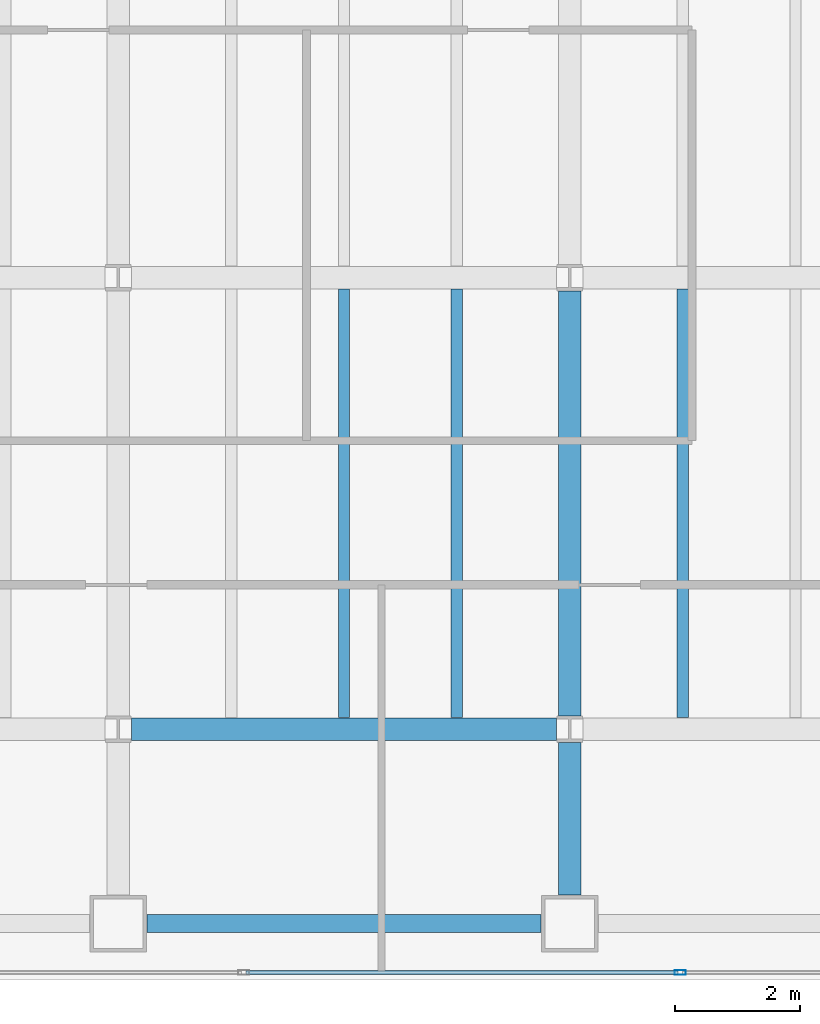
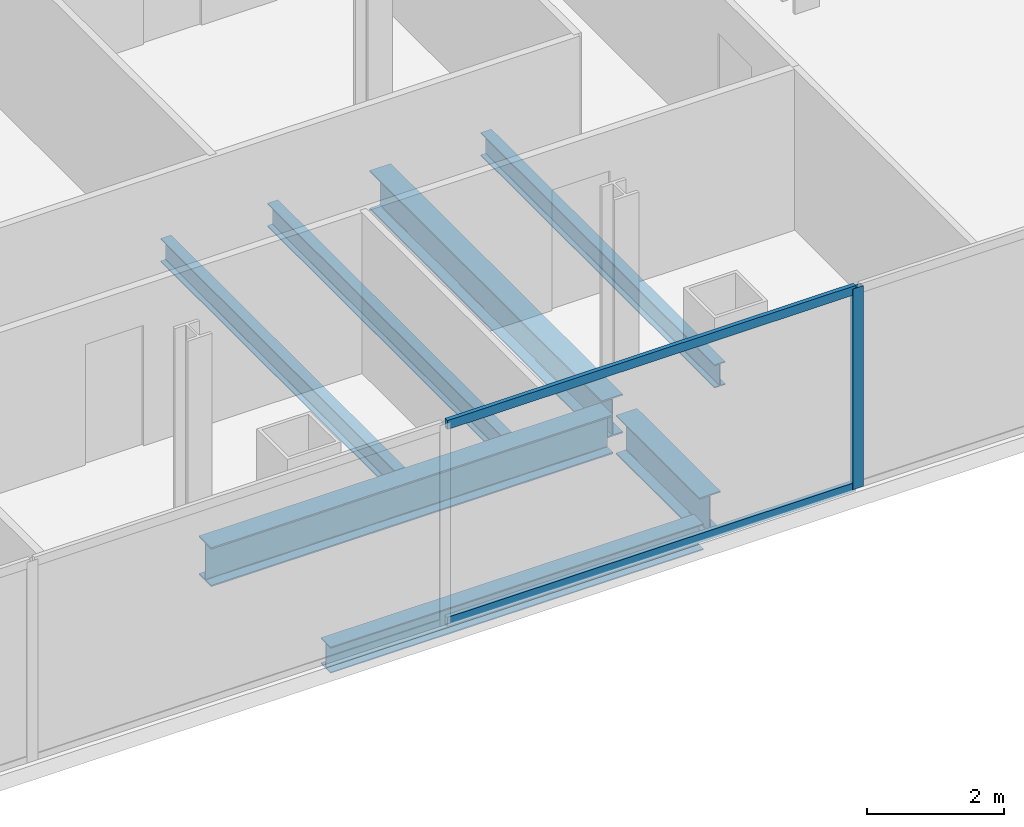
# One storey, part 5 of 23: 7 beams, 3 members, 1 element without a shape of its own.
"""IFC4 building model written with IfcOpenShell, lengths in metres."""

from ifc_helpers import new_model, si_unit, direction, frame, origin, origin_2d, place, context, subcontext, project, spatial, hollow_rectangle, i_section, extrude, material, material_profile, profile_set, type_object, element, aggregate, save


model = new_model("IFC4")

# Units and contexts
model_context = context("Model", 3, precision=1e-05, world=origin(), true_north=direction((0.0, 1.0)))
body_context = subcontext(model_context, "Body", "Model", "MODEL_VIEW")
ifc_project = project(units=[si_unit("LENGTHUNIT", "METRE"), si_unit("AREAUNIT", "SQUARE_METRE"), si_unit("VOLUMEUNIT", "CUBIC_METRE"), si_unit("PLANEANGLEUNIT", "RADIAN"), si_unit("MASSUNIT", "GRAM", prefix="KILO")], contexts=[model_context])

# Site, building, storey
site_placement = place(None, origin())
site = spatial("IfcSite", under=ifc_project, at=site_placement, CompositionType="ELEMENT")
building_placement = place(site_placement, origin())
building = spatial("IfcBuilding", under=site, at=building_placement, Name="Cobrela Telecom Tower", CompositionType="ELEMENT")
storey_placement = place(building_placement, frame((0.0, 0.0, 144.550048828125)))
storey = spatial("IfcBuildingStorey", under=building, at=storey_placement, Name="L36", CompositionType="ELEMENT", Elevation=144.550048828125)

# Beams
ifc_material_1 = material(Name="Steel ASTM A992 Grade 50", Category="steel")
ifc_material_profile_1 = material_profile(ifc_material_1, i_section(OverallWidth=0.35595703125, OverallDepth=0.696044921875, WebThickness=0.015380859375, FlangeThickness=0.024658203125, FilletRadius=0.01806640625, at=origin_2d()), Name="W27X146")
ifc_profile_set_1 = profile_set([ifc_material_profile_1], Name="Steel ASTM A992 Grade 50")
beam_type_1 = type_object("IfcBeamType", Name="BM-GIRD-05", PredefinedType="USERDEFINED", material=ifc_profile_set_1)
beam_1_placement = place(storey_placement, frame((21.8095703125, 7.199951171875, -0.6181640625), z_axis=(1.0, 0.0, 0.0), x_axis=(0.0, 1.0, 0.0)))
element("IfcBeam", 1, at=beam_1_placement, inside=storey, type_object=beam_type_1, Name="L36 Primary Girder X09", ObjectType="GIRDER", PredefinedType="USERDEFINED", context=body_context, shape_type="SweptSolid", body=[
    extrude(i_section(OverallWidth=0.35595703125, OverallDepth=0.696044921875, WebThickness=0.015380859375, FlangeThickness=0.024658203125, FilletRadius=0.01806640625, at=origin_2d()), origin(), (0.0, 0.0, 1.0), 6.781005859375),
])
beam_2_placement = place(storey_placement, frame((28.800048828125, 4.554931640625, -0.6181640625), z_axis=(0.0, 1.0, 0.0), x_axis=(-1.0, 0.0, 0.0)))
element("IfcBeam", 2, at=beam_2_placement, inside=storey, type_object=beam_type_1, Name="L36 Primary Girder Y46", ObjectType="GIRDER", PredefinedType="USERDEFINED", context=body_context, shape_type="SweptSolid", body=[
    extrude(i_section(OverallWidth=0.35595703125, OverallDepth=0.696044921875, WebThickness=0.015380859375, FlangeThickness=0.024658203125, FilletRadius=0.01806640625, at=origin_2d()), origin(), (0.0, 0.0, 1.0), 2.435546875),
])
beam_3_placement = place(storey_placement, frame((28.800048828125, 7.409423828125, -0.6181640625), z_axis=(0.0, 1.0, 0.0), x_axis=(-1.0, 0.0, 0.0)))
element("IfcBeam", 3, at=beam_3_placement, inside=storey, type_object=beam_type_1, Name="L36 Primary Girder Y47", ObjectType="GIRDER", PredefinedType="USERDEFINED", context=body_context, shape_type="SweptSolid", body=[
    extrude(i_section(OverallWidth=0.35595703125, OverallDepth=0.696044921875, WebThickness=0.015380859375, FlangeThickness=0.024658203125, FilletRadius=0.01806640625, at=origin_2d()), origin(), (0.0, 0.0, 1.0), 6.781005859375),
])
ifc_material_profile_2 = material_profile(ifc_material_1, i_section(OverallWidth=0.179931640625, OverallDepth=0.4169921875, WebThickness=0.010986328125, FlangeThickness=0.01806640625, FilletRadius=0.011962890625, at=origin_2d()), Name="W16X57")
ifc_profile_set_2 = profile_set([ifc_material_profile_2], Name="Steel ASTM A992 Grade 50")
beam_type_2 = type_object("IfcBeamType", Name="BM-JOIST-04", PredefinedType="JOIST", material=ifc_profile_set_2)
for number, where, z_axis, x_axis, name in (
    (4, (25.199951171875, 7.383056640625, -0.478515625), (0.0, 1.0, 0.0), (-1.0, 0.0, 0.0), "L36 Secondary Composite Floor Beam J23"),
    (5, (27.0, 7.383056640625, -0.478515625), (0.0, 1.0, 0.0), (-1.0, 0.0, 0.0), "L36 Secondary Composite Floor Beam J25"),
    (6, (30.60009765625, 7.383056640625, -0.478515625), (0.0, 1.0, 0.0), (-1.0, 0.0, 0.0), "L36 Secondary Composite Floor Beam J27"),
):
    element("IfcBeam", number, at=place(storey_placement, frame(where, z_axis=z_axis, x_axis=x_axis)), inside=storey, type_object=beam_type_2, Name=name, PredefinedType="JOIST", context=body_context, shape_type="SweptSolid", body=[
        extrude(i_section(OverallWidth=0.179931640625, OverallDepth=0.4169921875, WebThickness=0.010986328125, FlangeThickness=0.01806640625, FilletRadius=0.011962890625, at=origin_2d()), origin(), (0.0, 0.0, 1.0), 6.833984375),
    ])
ifc_material_profile_3 = material_profile(ifc_material_1, i_section(OverallWidth=0.281982421875, OverallDepth=0.467041015625, WebThickness=0.01220703125, FlangeThickness=0.01953125, FilletRadius=0.012939453125, at=origin_2d()), Name="W18X86")
ifc_profile_set_3 = profile_set([ifc_material_profile_3], Name="Steel ASTM A992 Grade 50")
beam_type_3 = type_object("IfcBeamType", Name="BM-SPAND-04", PredefinedType="SPANDREL", material=ifc_profile_set_3)
beam_4_placement = place(storey_placement, frame((22.054931640625, 4.10009765625, -0.503662109375), z_axis=(1.0, 0.0, 0.0), x_axis=(0.0, 1.0, 0.0)))
element("IfcBeam", 7, at=beam_4_placement, inside=storey, type_object=beam_type_3, Name="L36 Perimeter Spandrel X03", PredefinedType="SPANDREL", context=body_context, shape_type="SweptSolid", body=[
    extrude(i_section(OverallWidth=0.281982421875, OverallDepth=0.467041015625, WebThickness=0.01220703125, FlangeThickness=0.01953125, FilletRadius=0.012939453125, at=origin_2d()), origin(), (0.0, 0.0, 1.0), 6.2900390625),
])

# Curtain wall, members
ifc_material_2 = material(Name="Anodized Bronze Aluminium 6063-T6", Category="aluminium")
curtain_wall_type = type_object("IfcCurtainWallType", Name="CW-SYS-TEL", PredefinedType="USERDEFINED", material=ifc_material_2)
curtain_wall_placement = place(storey_placement, origin())
curtain_wall = element("IfcCurtainWall", 8, at=curtain_wall_placement, inside=storey, type_object=curtain_wall_type, Name="L36 Unitised Bronze Curtain Wall 17", ObjectType="UNITISED CURTAIN WALL", PredefinedType="USERDEFINED")
ifc_material_profile_4 = material_profile(ifc_material_2, hollow_rectangle(XDim=0.074951171875, YDim=0.179931640625, WallThickness=0.00390625, at=origin_2d()), Name="ALU 75x180x4")
ifc_profile_set_4 = profile_set([ifc_material_profile_4], Name="Anodized Bronze Aluminium 6063-T6")
member_type_1 = type_object("IfcMemberType", Name="CW-SYS-TEL-MUL", PredefinedType="MULLION", material=ifc_profile_set_4)
member_1_placement = place(storey_placement, frame((30.563232421875, 3.320068359375, 0.0), z_axis=(0.0, 0.0, 1.0), x_axis=(0.0, -1.0, 0.0)))
member_1 = element("IfcMember", 9, at=member_1_placement, type_object=member_type_1, Name="CW-TEL mullion 3", PredefinedType="MULLION", context=body_context, shape_type="SweptSolid", body=[
    extrude(hollow_rectangle(XDim=0.074951171875, YDim=0.179931640625, WallThickness=0.00390625, at=origin_2d()), origin(), (0.0, 0.0, 1.0), 3.579833984375),
])
ifc_material_profile_5 = material_profile(ifc_material_2, hollow_rectangle(XDim=0.070068359375, YDim=0.159912109375, WallThickness=0.00390625, at=origin_2d()), Name="ALU 70x160x4")
ifc_profile_set_5 = profile_set([ifc_material_profile_5], Name="Anodized Bronze Aluminium 6063-T6")
member_type_2 = type_object("IfcMemberType", Name="CW-SYS-TEL-TRN", PredefinedType="USERDEFINED", material=ifc_profile_set_5)
member_2_placement = place(storey_placement, frame((30.52587890625, 3.320068359375, 0.034912109375), z_axis=(-1.0, 0.0, 0.0), x_axis=(0.0, -1.0, 0.0)))
member_2 = element("IfcMember", 10, at=member_2_placement, type_object=member_type_2, Name="CW-TEL transom 3.1", ObjectType="TRANSOM", PredefinedType="USERDEFINED", context=body_context, shape_type="SweptSolid", body=[
    extrude(hollow_rectangle(XDim=0.070068359375, YDim=0.159912109375, WallThickness=0.00390625, at=origin_2d()), origin(), (0.0, 0.0, 1.0), 6.888427734375),
])
member_3_placement = place(storey_placement, frame((30.52587890625, 3.320068359375, 3.544921875), z_axis=(-1.0, 0.0, 0.0), x_axis=(0.0, -1.0, 0.0)))
member_3 = element("IfcMember", 11, at=member_3_placement, type_object=member_type_2, Name="CW-TEL transom 3.2", ObjectType="TRANSOM", PredefinedType="USERDEFINED", context=body_context, shape_type="SweptSolid", body=[
    extrude(hollow_rectangle(XDim=0.070068359375, YDim=0.159912109375, WallThickness=0.00390625, at=origin_2d()), origin(), (0.0, 0.0, 1.0), 6.888427734375),
])
aggregate(curtain_wall, [member_1, member_2, member_3])

save(model, "model.ifc")
